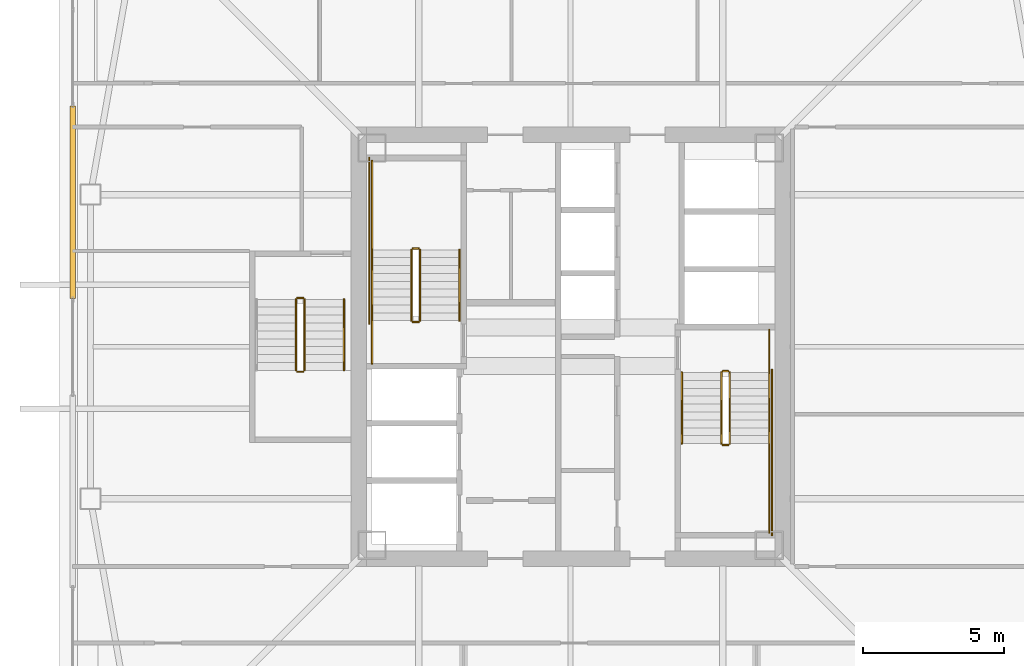
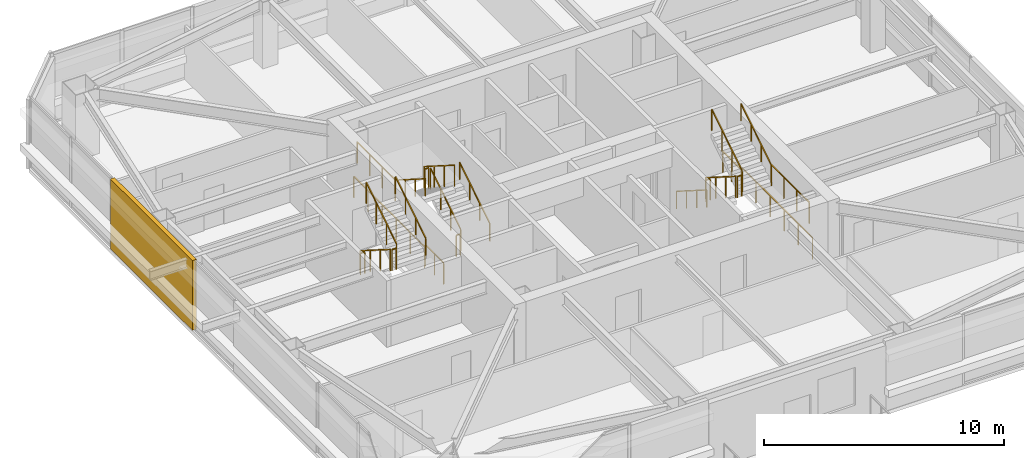
# One storey, part 40 of 44: 23 railings, 1 covering.
"""IFC4 building model written with IfcOpenShell, lengths in metres."""

from ifc_helpers import new_model, si_unit, direction, frame, origin, origin_2d, place, context, subcontext, project, spatial, rectangle, extrude, material, layer, layer_set, type_object, element, save


model = new_model("IFC4")

# Units and contexts
model_context = context("Model", 3, precision=1e-05, world=origin(), true_north=direction((0.0, 1.0)))
body_context = subcontext(model_context, "Body", "Model", "MODEL_VIEW")
ifc_project = project(units=[si_unit("LENGTHUNIT", "METRE"), si_unit("AREAUNIT", "SQUARE_METRE"), si_unit("VOLUMEUNIT", "CUBIC_METRE"), si_unit("PLANEANGLEUNIT", "RADIAN"), si_unit("MASSUNIT", "GRAM", prefix="KILO")], contexts=[model_context])

# Site, building, storey
site_placement = place(None, origin())
site = spatial("IfcSite", under=ifc_project, at=site_placement, CompositionType="ELEMENT")
building_placement = place(site_placement, origin())
building = spatial("IfcBuilding", under=site, at=building_placement, Name="Tashvorn Skyway Center", CompositionType="ELEMENT")
storey_placement = place(building_placement, frame((0.0, 0.0, 181.85009765625)))
storey = spatial("IfcBuildingStorey", under=building, at=storey_placement, Name="L49", CompositionType="ELEMENT", Elevation=181.85009765625)

# Covering
ifc_material_1 = material(Name="Precast concrete C40/50", Category="concrete")
ifc_layer = layer(ifc_material_1, 0.199951171875)
ifc_layer_set = layer_set([ifc_layer], Name="Precast concrete C40/50")
covering_type = type_object("IfcCoveringType", Name="COV-BRACE-CLAD", PredefinedType="CLADDING", material=ifc_layer_set)
covering_placement = place(storey_placement, frame((24.320068359375, 37.126708984375, 0.0), z_axis=(0.0, 0.0, 1.0), x_axis=(0.0, 1.0, 0.0)))
element("IfcCovering", 1, at=covering_placement, inside=storey, type_object=covering_type, Name="Tower 1 L49 West Unitised Curtain Wall Mega-Brace Cladding Band 2", PredefinedType="CLADDING", context=body_context, shape_type="SweptSolid", body=[
    extrude(rectangle(XDim=6.83544921875, YDim=0.199951171875, at=origin_2d()), origin(), (0.0, 0.0, 1.0), 3.550048828125),
])

# Railings
ifc_material_2 = material(Name="Brushed stainless steel 316", Category="steel")
railing_type_1 = type_object("IfcRailingType", Name="RAIL-HAND-920", PredefinedType="HANDRAIL", material=ifc_material_2)
railing_1_placement = place(storey_placement, frame((38.050048828125, 32.919921875, 0.177490234375)))
element("IfcRailing", 2, at=railing_1_placement, inside=storey, type_object=railing_type_1, Name="L49 ST-T1-1 stair handrail 1", PredefinedType="HANDRAIL", context=body_context, shape_type="SweptSolid", body=[
    extrude(rectangle(XDim=0.048095703125, YDim=0.048095703125, at=origin_2d()), frame((0.0, 0.0, 0.8759765625), z_axis=(0.0, 0.84460694969, 0.535386869969), x_axis=(-1.0, 0.0, 0.0)), (0.0, 0.0, 1.0), 2.983642578125),
    extrude(rectangle(XDim=0.0419921875, YDim=0.0419921875, at=origin_2d()), origin(), (0.0, 0.0, 1.0), 0.851806640625),
    extrude(rectangle(XDim=0.0419921875, YDim=0.0419921875, at=origin_2d()), frame((0.0, 0.840087890625, 0.532470703125)), (0.0, 0.0, 1.0), 0.851806640625),
    extrude(rectangle(XDim=0.0419921875, YDim=0.0419921875, at=origin_2d()), frame((0.0, 1.679931640625, 1.06494140625)), (0.0, 0.0, 1.0), 0.851806640625),
    extrude(rectangle(XDim=0.0419921875, YDim=0.0419921875, at=origin_2d()), frame((0.0, 2.52001953125, 1.597412109375)), (0.0, 0.0, 1.0), 0.851806640625),
])
for number, where, name in (
    (3, (34.949951171875, 35.43994140625, 1.952392578125), "L49 ST-T1-1 stair handrail 2"),
    (4, (45.949951171875, 31.080078125, 0.177490234375), "L49 ST-T1-2 stair handrail 1"),
):
    element("IfcRailing", number, at=place(storey_placement, frame(where)), inside=storey, type_object=railing_type_1, Name=name, PredefinedType="HANDRAIL", context=body_context, shape_type="SweptSolid", body=[
        extrude(rectangle(XDim=0.048095703125, YDim=0.048095703125, at=origin_2d()), frame((0.0, 0.0, 0.8759765625), z_axis=(0.0, -0.84460694969, 0.535386869969), x_axis=(1.0, 0.0, 0.0)), (0.0, 0.0, 1.0), 2.983642578125),
        extrude(rectangle(XDim=0.0419921875, YDim=0.0419921875, at=origin_2d()), origin(), (0.0, 0.0, 1.0), 0.851806640625),
        extrude(rectangle(XDim=0.0419921875, YDim=0.0419921875, at=origin_2d()), frame((0.0, -0.840087890625, 0.532470703125)), (0.0, 0.0, 1.0), 0.851806640625),
        extrude(rectangle(XDim=0.0419921875, YDim=0.0419921875, at=origin_2d()), frame((0.0, -1.679931640625, 1.06494140625)), (0.0, 0.0, 1.0), 0.851806640625),
        extrude(rectangle(XDim=0.0419921875, YDim=0.0419921875, at=origin_2d()), frame((0.0, -2.52001953125, 1.597412109375)), (0.0, 0.0, 1.0), 0.851806640625),
    ])
for number, where, name in (
    (5, (49.050048828125, 28.56005859375, 1.952392578125), "L49 ST-T1-2 stair handrail 2"),
    (6, (33.949951171875, 31.159912109375, 1.952392578125), "L49 ST-T1-3 stair handrail 2"),
):
    element("IfcRailing", number, at=place(storey_placement, frame(where)), inside=storey, type_object=railing_type_1, Name=name, PredefinedType="HANDRAIL", context=body_context, shape_type="SweptSolid", body=[
        extrude(rectangle(XDim=0.048095703125, YDim=0.048095703125, at=origin_2d()), frame((0.0, 0.0, 0.8759765625), z_axis=(0.0, 0.84460694969, 0.535386869969), x_axis=(-1.0, 0.0, 0.0)), (0.0, 0.0, 1.0), 2.983642578125),
        extrude(rectangle(XDim=0.0419921875, YDim=0.0419921875, at=origin_2d()), origin(), (0.0, 0.0, 1.0), 0.851806640625),
        extrude(rectangle(XDim=0.0419921875, YDim=0.0419921875, at=origin_2d()), frame((0.0, 0.840087890625, 0.532470703125)), (0.0, 0.0, 1.0), 0.851806640625),
        extrude(rectangle(XDim=0.0419921875, YDim=0.0419921875, at=origin_2d()), frame((0.0, 1.679931640625, 1.06494140625)), (0.0, 0.0, 1.0), 0.851806640625),
        extrude(rectangle(XDim=0.0419921875, YDim=0.0419921875, at=origin_2d()), frame((0.0, 2.52001953125, 1.597412109375)), (0.0, 0.0, 1.0), 0.851806640625),
    ])
ifc_material_3 = material(Name="Painted galvanized steel S355", Category="steel")
railing_type_2 = type_object("IfcRailingType", Name="RAIL-STGUARD-1100", PredefinedType="GUARDRAIL", material=ifc_material_3)
railing_2_placement = place(storey_placement, frame((36.64990234375, 32.919921875, 0.177490234375)))
element("IfcRailing", 7, at=railing_2_placement, inside=storey, type_object=railing_type_2, Name="L49 ST-T1-1 stair guard 1", PredefinedType="GUARDRAIL", context=body_context, shape_type="SweptSolid", body=[
    extrude(rectangle(XDim=0.048095703125, YDim=0.048095703125, at=origin_2d()), frame((0.0, 0.0, 1.076171875), z_axis=(0.0, 0.84460694969, 0.535386869969), x_axis=(-1.0, 0.0, 0.0)), (0.0, 0.0, 1.0), 2.983642578125),
    extrude(rectangle(XDim=0.0419921875, YDim=0.0419921875, at=origin_2d()), origin(), (0.0, 0.0, 1.0), 1.052001953125),
    extrude(rectangle(XDim=0.0419921875, YDim=0.0419921875, at=origin_2d()), frame((0.0, 0.840087890625, 0.532470703125)), (0.0, 0.0, 1.0), 1.052001953125),
    extrude(rectangle(XDim=0.0419921875, YDim=0.0419921875, at=origin_2d()), frame((0.0, 1.679931640625, 1.06494140625)), (0.0, 0.0, 1.0), 1.052001953125),
    extrude(rectangle(XDim=0.0419921875, YDim=0.0419921875, at=origin_2d()), frame((0.0, 2.52001953125, 1.597412109375)), (0.0, 0.0, 1.0), 1.052001953125),
])
railing_3_placement = place(storey_placement, frame((36.60009765625, 35.489990234375, 1.77490234375)))
element("IfcRailing", 8, at=railing_3_placement, inside=storey, type_object=railing_type_2, Name="L49 ST-T1-1 stair guard 2", PredefinedType="GUARDRAIL", context=body_context, shape_type="SweptSolid", body=[
    extrude(rectangle(XDim=0.048095703125, YDim=0.048095703125, at=origin_2d()), frame((0.0, 0.0, 1.076171875), z_axis=(-1.0, 0.0, 0.0), x_axis=(0.0, -1.0, 0.0)), (0.0, 0.0, 1.0), 0.2001953125),
    extrude(rectangle(XDim=0.0419921875, YDim=0.0419921875, at=origin_2d()), origin(), (0.0, 0.0, 1.0), 1.052001953125),
    extrude(rectangle(XDim=0.0419921875, YDim=0.0419921875, at=origin_2d()), frame((-0.2001953125, 0.0, 0.0)), (0.0, 0.0, 1.0), 1.052001953125),
])
railing_4_placement = place(storey_placement, frame((34.949951171875, 35.43994140625, 1.77490234375)))
element("IfcRailing", 9, at=railing_4_placement, inside=storey, type_object=railing_type_2, Name="L49 ST-T1-1 stair guard 3", PredefinedType="GUARDRAIL", context=body_context, shape_type="SweptSolid", body=[
    extrude(rectangle(XDim=0.048095703125, YDim=0.048095703125, at=origin_2d()), frame((0.0, 0.0, 1.076171875), z_axis=(0.0, 1.0, 0.0), x_axis=(-1.0, 0.0, 0.0)), (0.0, 0.0, 1.0), 3.16015625),
    extrude(rectangle(XDim=0.0419921875, YDim=0.0419921875, at=origin_2d()), origin(), (0.0, 0.0, 1.0), 1.052001953125),
    extrude(rectangle(XDim=0.0419921875, YDim=0.0419921875, at=origin_2d()), frame((0.0, 1.053466796875, 0.0)), (0.0, 0.0, 1.0), 1.052001953125),
    extrude(rectangle(XDim=0.0419921875, YDim=0.0419921875, at=origin_2d()), frame((0.0, 2.106689453125, 0.0)), (0.0, 0.0, 1.0), 1.052001953125),
    extrude(rectangle(XDim=0.0419921875, YDim=0.0419921875, at=origin_2d()), frame((0.0, 3.16015625, 0.0)), (0.0, 0.0, 1.0), 1.052001953125),
])
railing_5_placement = place(storey_placement, frame((36.35009765625, 35.43994140625, 1.952392578125)))
element("IfcRailing", 10, at=railing_5_placement, inside=storey, type_object=railing_type_2, Name="L49 ST-T1-1 stair guard 4", PredefinedType="GUARDRAIL", context=body_context, shape_type="SweptSolid", body=[
    extrude(rectangle(XDim=0.048095703125, YDim=0.048095703125, at=origin_2d()), frame((0.0, 0.0, 1.076171875), z_axis=(0.0, -0.84460694969, 0.535386869969), x_axis=(1.0, 0.0, 0.0)), (0.0, 0.0, 1.0), 2.983642578125),
    extrude(rectangle(XDim=0.0419921875, YDim=0.0419921875, at=origin_2d()), origin(), (0.0, 0.0, 1.0), 1.052001953125),
    extrude(rectangle(XDim=0.0419921875, YDim=0.0419921875, at=origin_2d()), frame((0.0, -0.840087890625, 0.532470703125)), (0.0, 0.0, 1.0), 1.052001953125),
    extrude(rectangle(XDim=0.0419921875, YDim=0.0419921875, at=origin_2d()), frame((0.0, -1.679931640625, 1.06494140625)), (0.0, 0.0, 1.0), 1.052001953125),
    extrude(rectangle(XDim=0.0419921875, YDim=0.0419921875, at=origin_2d()), frame((0.0, -2.52001953125, 1.597412109375)), (0.0, 0.0, 1.0), 1.052001953125),
])
railing_6_placement = place(storey_placement, frame((36.60009765625, 32.8701171875, 0.0)))
element("IfcRailing", 11, at=railing_6_placement, inside=storey, type_object=railing_type_2, Name="L49 ST-T1-1 stair guard 5", PredefinedType="GUARDRAIL", context=body_context, shape_type="SweptSolid", body=[
    extrude(rectangle(XDim=0.048095703125, YDim=0.048095703125, at=origin_2d()), frame((0.0, 0.0, 1.076171875), z_axis=(-1.0, 0.0, 0.0), x_axis=(0.0, -1.0, 0.0)), (0.0, 0.0, 1.0), 0.2001953125),
    extrude(rectangle(XDim=0.0419921875, YDim=0.0419921875, at=origin_2d()), origin(), (0.0, 0.0, 1.0), 1.052001953125),
    extrude(rectangle(XDim=0.0419921875, YDim=0.0419921875, at=origin_2d()), frame((-0.2001953125, 0.0, 0.0)), (0.0, 0.0, 1.0), 1.052001953125),
])
railing_7_placement = place(storey_placement, frame((34.949951171875, 31.39990234375, 0.0)))
element("IfcRailing", 12, at=railing_7_placement, inside=storey, type_object=railing_type_2, Name="L49 ST-T1-1 stair guard 6", PredefinedType="GUARDRAIL", context=body_context, shape_type="SweptSolid", body=[
    extrude(rectangle(XDim=0.048095703125, YDim=0.048095703125, at=origin_2d()), frame((0.0, 0.0, 1.076171875), z_axis=(0.0, 1.0, 0.0), x_axis=(-1.0, 0.0, 0.0)), (0.0, 0.0, 1.0), 1.52001953125),
    extrude(rectangle(XDim=0.0419921875, YDim=0.0419921875, at=origin_2d()), origin(), (0.0, 0.0, 1.0), 1.052001953125),
    extrude(rectangle(XDim=0.0419921875, YDim=0.0419921875, at=origin_2d()), frame((0.0, 0.760009765625, 0.0)), (0.0, 0.0, 1.0), 1.052001953125),
    extrude(rectangle(XDim=0.0419921875, YDim=0.0419921875, at=origin_2d()), frame((0.0, 1.52001953125, 0.0)), (0.0, 0.0, 1.0), 1.052001953125),
])
railing_8_placement = place(storey_placement, frame((34.85009765625, 32.820068359375, 0.0)))
element("IfcRailing", 13, at=railing_8_placement, inside=storey, type_object=railing_type_2, Name="L49 ST-T1-1 stair guard 7", PredefinedType="GUARDRAIL", context=body_context, shape_type="SweptSolid", body=[
    extrude(rectangle(XDim=0.048095703125, YDim=0.048095703125, at=origin_2d()), frame((0.0, 0.0, 1.076171875), z_axis=(0.0, 1.0, 0.0), x_axis=(-1.0, 0.0, 0.0)), (0.0, 0.0, 1.0), 5.8798828125),
    extrude(rectangle(XDim=0.0419921875, YDim=0.0419921875, at=origin_2d()), origin(), (0.0, 0.0, 1.0), 1.052001953125),
    extrude(rectangle(XDim=0.0419921875, YDim=0.0419921875, at=origin_2d()), frame((0.0, 1.176025390625, 0.0)), (0.0, 0.0, 1.0), 1.052001953125),
    extrude(rectangle(XDim=0.0419921875, YDim=0.0419921875, at=origin_2d()), frame((0.0, 2.35205078125, 0.0)), (0.0, 0.0, 1.0), 1.052001953125),
    extrude(rectangle(XDim=0.0419921875, YDim=0.0419921875, at=origin_2d()), frame((0.0, 3.52783203125, 0.0)), (0.0, 0.0, 1.0), 1.052001953125),
    extrude(rectangle(XDim=0.0419921875, YDim=0.0419921875, at=origin_2d()), frame((0.0, 4.703857421875, 0.0)), (0.0, 0.0, 1.0), 1.052001953125),
    extrude(rectangle(XDim=0.0419921875, YDim=0.0419921875, at=origin_2d()), frame((0.0, 5.8798828125, 0.0)), (0.0, 0.0, 1.0), 1.052001953125),
])
railing_9_placement = place(storey_placement, frame((47.35009765625, 31.080078125, 0.177490234375)))
element("IfcRailing", 14, at=railing_9_placement, inside=storey, type_object=railing_type_2, Name="L49 ST-T1-2 stair guard 1", PredefinedType="GUARDRAIL", context=body_context, shape_type="SweptSolid", body=[
    extrude(rectangle(XDim=0.048095703125, YDim=0.048095703125, at=origin_2d()), frame((0.0, 0.0, 1.076171875), z_axis=(0.0, -0.84460694969, 0.535386869969), x_axis=(1.0, 0.0, 0.0)), (0.0, 0.0, 1.0), 2.983642578125),
    extrude(rectangle(XDim=0.0419921875, YDim=0.0419921875, at=origin_2d()), origin(), (0.0, 0.0, 1.0), 1.052001953125),
    extrude(rectangle(XDim=0.0419921875, YDim=0.0419921875, at=origin_2d()), frame((0.0, -0.840087890625, 0.532470703125)), (0.0, 0.0, 1.0), 1.052001953125),
    extrude(rectangle(XDim=0.0419921875, YDim=0.0419921875, at=origin_2d()), frame((0.0, -1.679931640625, 1.06494140625)), (0.0, 0.0, 1.0), 1.052001953125),
    extrude(rectangle(XDim=0.0419921875, YDim=0.0419921875, at=origin_2d()), frame((0.0, -2.52001953125, 1.597412109375)), (0.0, 0.0, 1.0), 1.052001953125),
])
railing_10_placement = place(storey_placement, frame((47.39990234375, 28.510009765625, 1.77490234375)))
element("IfcRailing", 15, at=railing_10_placement, inside=storey, type_object=railing_type_2, Name="L49 ST-T1-2 stair guard 2", PredefinedType="GUARDRAIL", context=body_context, shape_type="SweptSolid", body=[
    extrude(rectangle(XDim=0.048095703125, YDim=0.048095703125, at=origin_2d()), frame((0.0, 0.0, 1.076171875), z_axis=(1.0, 0.0, 0.0), x_axis=(0.0, 1.0, 0.0)), (0.0, 0.0, 1.0), 0.2001953125),
    extrude(rectangle(XDim=0.0419921875, YDim=0.0419921875, at=origin_2d()), origin(), (0.0, 0.0, 1.0), 1.052001953125),
    extrude(rectangle(XDim=0.0419921875, YDim=0.0419921875, at=origin_2d()), frame((0.2001953125, 0.0, 0.0)), (0.0, 0.0, 1.0), 1.052001953125),
])
railing_11_placement = place(storey_placement, frame((49.050048828125, 28.56005859375, 1.77490234375)))
element("IfcRailing", 16, at=railing_11_placement, inside=storey, type_object=railing_type_2, Name="L49 ST-T1-2 stair guard 3", PredefinedType="GUARDRAIL", context=body_context, shape_type="SweptSolid", body=[
    extrude(rectangle(XDim=0.048095703125, YDim=0.048095703125, at=origin_2d()), frame((0.0, 0.0, 1.076171875), z_axis=(0.0, -1.0, 0.0), x_axis=(1.0, 0.0, 0.0)), (0.0, 0.0, 1.0), 3.16015625),
    extrude(rectangle(XDim=0.0419921875, YDim=0.0419921875, at=origin_2d()), origin(), (0.0, 0.0, 1.0), 1.052001953125),
    extrude(rectangle(XDim=0.0419921875, YDim=0.0419921875, at=origin_2d()), frame((0.0, -1.053466796875, 0.0)), (0.0, 0.0, 1.0), 1.052001953125),
    extrude(rectangle(XDim=0.0419921875, YDim=0.0419921875, at=origin_2d()), frame((0.0, -2.106689453125, 0.0)), (0.0, 0.0, 1.0), 1.052001953125),
    extrude(rectangle(XDim=0.0419921875, YDim=0.0419921875, at=origin_2d()), frame((0.0, -3.16015625, 0.0)), (0.0, 0.0, 1.0), 1.052001953125),
])
railing_12_placement = place(storey_placement, frame((47.64990234375, 28.56005859375, 1.952392578125)))
element("IfcRailing", 17, at=railing_12_placement, inside=storey, type_object=railing_type_2, Name="L49 ST-T1-2 stair guard 4", PredefinedType="GUARDRAIL", context=body_context, shape_type="SweptSolid", body=[
    extrude(rectangle(XDim=0.048095703125, YDim=0.048095703125, at=origin_2d()), frame((0.0, 0.0, 1.076171875), z_axis=(0.0, 0.84460694969, 0.535386869969), x_axis=(-1.0, 0.0, 0.0)), (0.0, 0.0, 1.0), 2.983642578125),
    extrude(rectangle(XDim=0.0419921875, YDim=0.0419921875, at=origin_2d()), origin(), (0.0, 0.0, 1.0), 1.052001953125),
    extrude(rectangle(XDim=0.0419921875, YDim=0.0419921875, at=origin_2d()), frame((0.0, 0.840087890625, 0.532470703125)), (0.0, 0.0, 1.0), 1.052001953125),
    extrude(rectangle(XDim=0.0419921875, YDim=0.0419921875, at=origin_2d()), frame((0.0, 1.679931640625, 1.06494140625)), (0.0, 0.0, 1.0), 1.052001953125),
    extrude(rectangle(XDim=0.0419921875, YDim=0.0419921875, at=origin_2d()), frame((0.0, 2.52001953125, 1.597412109375)), (0.0, 0.0, 1.0), 1.052001953125),
])
railing_13_placement = place(storey_placement, frame((47.39990234375, 31.1298828125, 0.0)))
element("IfcRailing", 18, at=railing_13_placement, inside=storey, type_object=railing_type_2, Name="L49 ST-T1-2 stair guard 5", PredefinedType="GUARDRAIL", context=body_context, shape_type="SweptSolid", body=[
    extrude(rectangle(XDim=0.048095703125, YDim=0.048095703125, at=origin_2d()), frame((0.0, 0.0, 1.076171875), z_axis=(1.0, 0.0, 0.0), x_axis=(0.0, 1.0, 0.0)), (0.0, 0.0, 1.0), 0.2001953125),
    extrude(rectangle(XDim=0.0419921875, YDim=0.0419921875, at=origin_2d()), origin(), (0.0, 0.0, 1.0), 1.052001953125),
    extrude(rectangle(XDim=0.0419921875, YDim=0.0419921875, at=origin_2d()), frame((0.2001953125, 0.0, 0.0)), (0.0, 0.0, 1.0), 1.052001953125),
])
railing_14_placement = place(storey_placement, frame((49.050048828125, 32.60009765625, 0.0)))
element("IfcRailing", 19, at=railing_14_placement, inside=storey, type_object=railing_type_2, Name="L49 ST-T1-2 stair guard 6", PredefinedType="GUARDRAIL", context=body_context, shape_type="SweptSolid", body=[
    extrude(rectangle(XDim=0.048095703125, YDim=0.048095703125, at=origin_2d()), frame((0.0, 0.0, 1.076171875), z_axis=(0.0, -1.0, 0.0), x_axis=(1.0, 0.0, 0.0)), (0.0, 0.0, 1.0), 1.52001953125),
    extrude(rectangle(XDim=0.0419921875, YDim=0.0419921875, at=origin_2d()), origin(), (0.0, 0.0, 1.0), 1.052001953125),
    extrude(rectangle(XDim=0.0419921875, YDim=0.0419921875, at=origin_2d()), frame((0.0, -0.760009765625, 0.0)), (0.0, 0.0, 1.0), 1.052001953125),
    extrude(rectangle(XDim=0.0419921875, YDim=0.0419921875, at=origin_2d()), frame((0.0, -1.52001953125, 0.0)), (0.0, 0.0, 1.0), 1.052001953125),
])
railing_15_placement = place(storey_placement, frame((49.14990234375, 31.179931640625, 0.0)))
element("IfcRailing", 20, at=railing_15_placement, inside=storey, type_object=railing_type_2, Name="L49 ST-T1-2 stair guard 7", PredefinedType="GUARDRAIL", context=body_context, shape_type="SweptSolid", body=[
    extrude(rectangle(XDim=0.048095703125, YDim=0.048095703125, at=origin_2d()), frame((0.0, 0.0, 1.076171875), z_axis=(0.0, -1.0, 0.0), x_axis=(1.0, 0.0, 0.0)), (0.0, 0.0, 1.0), 5.8798828125),
    extrude(rectangle(XDim=0.0419921875, YDim=0.0419921875, at=origin_2d()), origin(), (0.0, 0.0, 1.0), 1.052001953125),
    extrude(rectangle(XDim=0.0419921875, YDim=0.0419921875, at=origin_2d()), frame((0.0, -1.176025390625, 0.0)), (0.0, 0.0, 1.0), 1.052001953125),
    extrude(rectangle(XDim=0.0419921875, YDim=0.0419921875, at=origin_2d()), frame((0.0, -2.35205078125, 0.0)), (0.0, 0.0, 1.0), 1.052001953125),
    extrude(rectangle(XDim=0.0419921875, YDim=0.0419921875, at=origin_2d()), frame((0.0, -3.52783203125, 0.0)), (0.0, 0.0, 1.0), 1.052001953125),
    extrude(rectangle(XDim=0.0419921875, YDim=0.0419921875, at=origin_2d()), frame((0.0, -4.703857421875, 0.0)), (0.0, 0.0, 1.0), 1.052001953125),
    extrude(rectangle(XDim=0.0419921875, YDim=0.0419921875, at=origin_2d()), frame((0.0, -5.8798828125, 0.0)), (0.0, 0.0, 1.0), 1.052001953125),
])
railing_16_placement = place(storey_placement, frame((32.25, 33.679931640625, 0.177490234375)))
element("IfcRailing", 21, at=railing_16_placement, inside=storey, type_object=railing_type_2, Name="L49 ST-T1-3 stair guard 1", PredefinedType="GUARDRAIL", context=body_context, shape_type="SweptSolid", body=[
    extrude(rectangle(XDim=0.048095703125, YDim=0.048095703125, at=origin_2d()), frame((0.0, 0.0, 1.076171875), z_axis=(0.0, -0.84460694969, 0.535386869969), x_axis=(1.0, 0.0, 0.0)), (0.0, 0.0, 1.0), 2.983642578125),
    extrude(rectangle(XDim=0.0419921875, YDim=0.0419921875, at=origin_2d()), origin(), (0.0, 0.0, 1.0), 1.052001953125),
    extrude(rectangle(XDim=0.0419921875, YDim=0.0419921875, at=origin_2d()), frame((0.0, -0.840087890625, 0.532470703125)), (0.0, 0.0, 1.0), 1.052001953125),
    extrude(rectangle(XDim=0.0419921875, YDim=0.0419921875, at=origin_2d()), frame((0.0, -1.679931640625, 1.06494140625)), (0.0, 0.0, 1.0), 1.052001953125),
    extrude(rectangle(XDim=0.0419921875, YDim=0.0419921875, at=origin_2d()), frame((0.0, -2.52001953125, 1.597412109375)), (0.0, 0.0, 1.0), 1.052001953125),
])
railing_17_placement = place(storey_placement, frame((32.300048828125, 31.110107421875, 1.77490234375)))
element("IfcRailing", 22, at=railing_17_placement, inside=storey, type_object=railing_type_2, Name="L49 ST-T1-3 stair guard 2", PredefinedType="GUARDRAIL", context=body_context, shape_type="SweptSolid", body=[
    extrude(rectangle(XDim=0.048095703125, YDim=0.048095703125, at=origin_2d()), frame((0.0, 0.0, 1.076171875), z_axis=(1.0, 0.0, 0.0), x_axis=(0.0, 1.0, 0.0)), (0.0, 0.0, 1.0), 0.199951171875),
    extrude(rectangle(XDim=0.0419921875, YDim=0.0419921875, at=origin_2d()), origin(), (0.0, 0.0, 1.0), 1.052001953125),
    extrude(rectangle(XDim=0.0419921875, YDim=0.0419921875, at=origin_2d()), frame((0.199951171875, 0.0, 0.0)), (0.0, 0.0, 1.0), 1.052001953125),
])
railing_18_placement = place(storey_placement, frame((32.550048828125, 31.159912109375, 1.952392578125)))
element("IfcRailing", 23, at=railing_18_placement, inside=storey, type_object=railing_type_2, Name="L49 ST-T1-3 stair guard 3", PredefinedType="GUARDRAIL", context=body_context, shape_type="SweptSolid", body=[
    extrude(rectangle(XDim=0.048095703125, YDim=0.048095703125, at=origin_2d()), frame((0.0, 0.0, 1.076171875), z_axis=(0.0, 0.84460694969, 0.535386869969), x_axis=(-1.0, 0.0, 0.0)), (0.0, 0.0, 1.0), 2.983642578125),
    extrude(rectangle(XDim=0.0419921875, YDim=0.0419921875, at=origin_2d()), origin(), (0.0, 0.0, 1.0), 1.052001953125),
    extrude(rectangle(XDim=0.0419921875, YDim=0.0419921875, at=origin_2d()), frame((0.0, 0.840087890625, 0.532470703125)), (0.0, 0.0, 1.0), 1.052001953125),
    extrude(rectangle(XDim=0.0419921875, YDim=0.0419921875, at=origin_2d()), frame((0.0, 1.679931640625, 1.06494140625)), (0.0, 0.0, 1.0), 1.052001953125),
    extrude(rectangle(XDim=0.0419921875, YDim=0.0419921875, at=origin_2d()), frame((0.0, 2.52001953125, 1.597412109375)), (0.0, 0.0, 1.0), 1.052001953125),
])
railing_19_placement = place(storey_placement, frame((32.300048828125, 33.72998046875, 0.0)))
element("IfcRailing", 24, at=railing_19_placement, inside=storey, type_object=railing_type_2, Name="L49 ST-T1-3 stair guard 4", PredefinedType="GUARDRAIL", context=body_context, shape_type="SweptSolid", body=[
    extrude(rectangle(XDim=0.048095703125, YDim=0.048095703125, at=origin_2d()), frame((0.0, 0.0, 1.076171875), z_axis=(1.0, 0.0, 0.0), x_axis=(0.0, 1.0, 0.0)), (0.0, 0.0, 1.0), 0.199951171875),
    extrude(rectangle(XDim=0.0419921875, YDim=0.0419921875, at=origin_2d()), origin(), (0.0, 0.0, 1.0), 1.052001953125),
    extrude(rectangle(XDim=0.0419921875, YDim=0.0419921875, at=origin_2d()), frame((0.199951171875, 0.0, 0.0)), (0.0, 0.0, 1.0), 1.052001953125),
])

save(model, "model.ifc")
